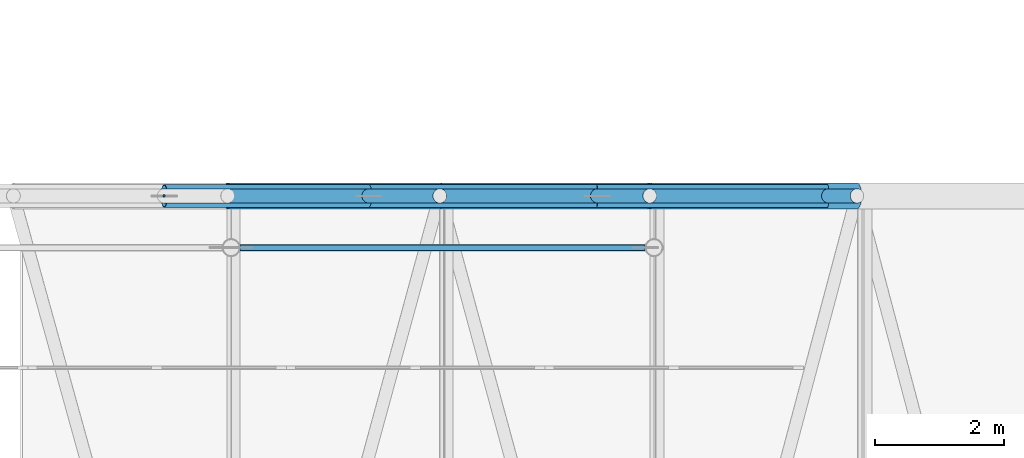
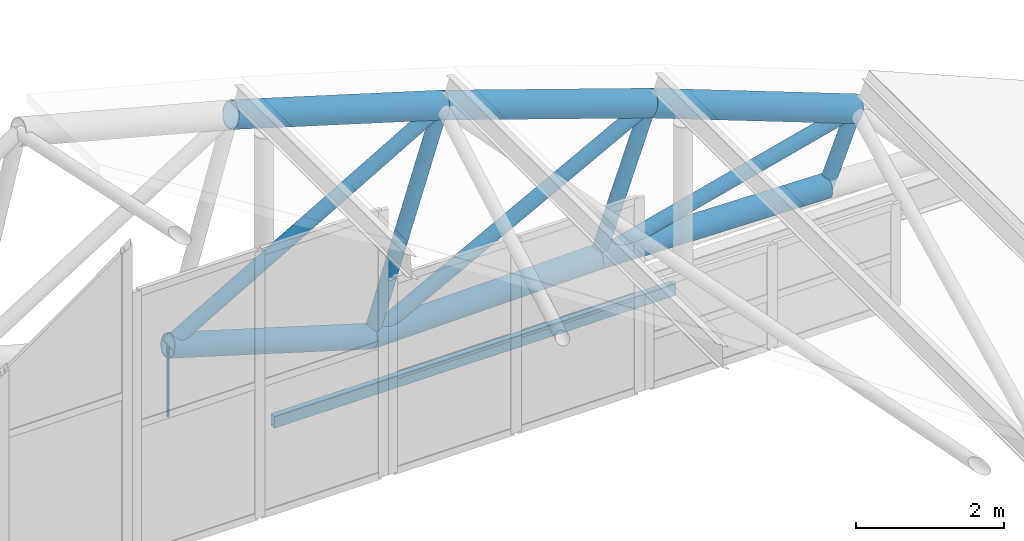
# One storey, part 200 of 321: 14 members.
"""IFC4 building model written with IfcOpenShell, lengths in metres."""

from ifc_helpers import new_model, si_unit, direction, frame, origin, origin_2d, place, context, subcontext, project, spatial, hollow_rectangle, circle, hollow_circle, extrude, material, material_profile, profile_set, type_object, element, save


model = new_model("IFC4")

# Units and contexts
model_context = context("Model", 3, precision=1e-05, world=origin(), true_north=direction((0.0, 1.0)))
body_context = subcontext(model_context, "Body", "Model", "MODEL_VIEW")
ifc_project = project(units=[si_unit("LENGTHUNIT", "METRE"), si_unit("AREAUNIT", "SQUARE_METRE"), si_unit("VOLUMEUNIT", "CUBIC_METRE"), si_unit("PLANEANGLEUNIT", "RADIAN"), si_unit("MASSUNIT", "GRAM", prefix="KILO")], contexts=[model_context])

# Site, building, storey
site_placement = place(None, origin())
site = spatial("IfcSite", under=ifc_project, at=site_placement, CompositionType="ELEMENT")
building_placement = place(site_placement, origin())
building = spatial("IfcBuilding", under=site, at=building_placement, Name="Ravi Spectrum Wholesale Market", CompositionType="ELEMENT")
storey_placement = place(building_placement, frame((0.0, 0.0, 10.800048828125)))
storey = spatial("IfcBuildingStorey", under=building, at=storey_placement, Name="L02", CompositionType="ELEMENT", Elevation=10.800048828125)

# Members
ifc_material_1 = material(Name="Steel S355", Category="steel")
ifc_material_profile_1 = material_profile(ifc_material_1, hollow_circle(Radius=0.109619140625, WallThickness=0.008056640625, at=origin_2d()))
ifc_profile_set_1 = profile_set([ifc_material_profile_1], Name="Steel S355")
member_type_1 = type_object("IfcMemberType", Name="CHS 219.1x8 brace", PredefinedType="BRACE", material=ifc_profile_set_1)
for number, where, z_axis, x_axis, name in (
    (1, (100.380615234375, 198.0, 3.645263671875), (-0.865160555252, 0.0, -0.501494978675), (0.0, -1.0, 0.0), "H1-MB-L02-1225"),
    (2, (103.62841796875, 198.0, 2.541015625), (-0.881933088563, 0.0, -0.471374614608), (0.0, -1.0, 0.0), "H1-MB-L02-1226"),
):
    element("IfcMember", number, at=place(storey_placement, frame(where, z_axis=z_axis, x_axis=x_axis)), inside=storey, type_object=member_type_1, Name=name, PredefinedType="BRACE", context=body_context, shape_type="SweptSolid", body=[
        extrude(hollow_circle(Radius=0.109619140625, WallThickness=0.008056640625, at=origin_2d()), origin(), (0.0, 0.0, 1.0), 4.9296875),
    ])
member_1_placement = place(storey_placement, frame((106.836181640625, 198.0, 1.325439453125), z_axis=(-0.967942387937, 0.0, -0.251172318609), x_axis=(0.0, -1.0, 0.0)))
element("IfcMember", 3, at=member_1_placement, inside=storey, type_object=member_type_1, Name="H1-MB-L02-1227", PredefinedType="BRACE", context=body_context, shape_type="SweptSolid", body=[
    extrude(hollow_circle(Radius=0.109619140625, WallThickness=0.008056640625, at=origin_2d()), origin(), (0.0, 0.0, 1.0), 4.15234375),
])
ifc_material_2 = material(Name="Steel S355", Category="steel")
ifc_material_profile_2 = material_profile(ifc_material_2, hollow_circle(Radius=0.109619140625, WallThickness=0.008056640625, at=origin_2d()))
ifc_profile_set_2 = profile_set([ifc_material_profile_2], Name="Steel S355")
member_type_2 = type_object("IfcMemberType", Name="CHS 219.1x8 post", PredefinedType="POST", material=ifc_profile_set_2)
member_2_placement = place(storey_placement, frame((100.380615234375, 198.0, 3.645263671875), z_axis=(-0.305506444581, 0.0, -0.952190008517), x_axis=(0.0, -1.0, 0.0)))
element("IfcMember", 4, at=member_2_placement, inside=storey, type_object=member_type_2, Name="H1-MB-L02-1203", PredefinedType="POST", context=body_context, shape_type="SweptSolid", body=[
    extrude(hollow_circle(Radius=0.109619140625, WallThickness=0.008056640625, at=origin_2d()), origin(), (0.0, 0.0, 1.0), 3.60009765625),
])
member_3_placement = place(storey_placement, frame((103.62841796875, 198.0, 2.541015625), z_axis=(-0.338146640483, 0.0, -0.941093432944), x_axis=(0.0, -1.0, 0.0)))
element("IfcMember", 5, at=member_3_placement, inside=storey, type_object=member_type_2, Name="H1-MB-L02-1204", PredefinedType="POST", context=body_context, shape_type="SweptSolid", body=[
    extrude(hollow_circle(Radius=0.109619140625, WallThickness=0.008056640625, at=origin_2d()), origin(), (0.0, 0.0, 1.0), 2.39990234375),
])
member_4_placement = place(storey_placement, frame((106.836181640625, 198.0, 1.325439453125), z_axis=(-0.370513497528, 0.0, -0.928827081942), x_axis=(0.0, -1.0, 0.0)))
element("IfcMember", 6, at=member_4_placement, inside=storey, type_object=member_type_2, Name="H1-MB-L02-1205", PredefinedType="POST", context=body_context, shape_type="SweptSolid", body=[
    extrude(hollow_circle(Radius=0.109619140625, WallThickness=0.008056640625, at=origin_2d()), origin(), (0.0, 0.0, 1.0), 1.199951171875),
])
ifc_material_3 = material(Name="Steel S355", Category="steel")
ifc_material_profile_3 = material_profile(ifc_material_3, hollow_circle(Radius=0.177734375, WallThickness=0.012451171875, at=origin_2d()))
ifc_profile_set_3 = profile_set([ifc_material_profile_3], Name="Steel S355")
member_type_3 = type_object("IfcMemberType", Name="CHS 355.6x12.5 chord", PredefinedType="CHORD", material=ifc_profile_set_3)
member_5_placement = place(storey_placement, frame((96.11572265625, 198.0, 1.173095703125), z_axis=(0.957300337613, 0.0, -0.289095250058), x_axis=(0.0, 1.0, 0.0)))
element("IfcMember", 7, at=member_5_placement, inside=storey, type_object=member_type_3, Name="H1-MB-L02-1179", PredefinedType="CHORD", context=body_context, shape_type="SweptSolid", body=[
    extrude(hollow_circle(Radius=0.177734375, WallThickness=0.012451171875, at=origin_2d()), origin(), (0.0, 0.0, 1.0), 3.30615234375),
])
member_6_placement = place(storey_placement, frame((99.28076171875, 198.0, 0.21728515625), z_axis=(0.999830134639, 0.0, 0.018431002896), x_axis=(0.0, 1.0, 0.0)))
element("IfcMember", 8, at=member_6_placement, inside=storey, type_object=member_type_3, Name="H1-MB-L02-1180", PredefinedType="CHORD", context=body_context, shape_type="SweptSolid", body=[
    extrude(hollow_circle(Radius=0.177734375, WallThickness=0.012451171875, at=origin_2d()), origin(), (0.0, 0.0, 1.0), 3.53662109375),
])
member_7_placement = place(storey_placement, frame((102.81689453125, 198.0, 0.282470703125), z_axis=(0.999799841502, 0.0, -0.020006922112), x_axis=(0.0, 1.0, 0.0)))
element("IfcMember", 9, at=member_7_placement, inside=storey, type_object=member_type_3, Name="H1-MB-L02-1181", PredefinedType="CHORD", context=body_context, shape_type="SweptSolid", body=[
    extrude(hollow_circle(Radius=0.177734375, WallThickness=0.012451171875, at=origin_2d()), origin(), (0.0, 0.0, 1.0), 3.575439453125),
])
ifc_material_4 = material(Name="Steel S355", Category="steel")
ifc_material_profile_4 = material_profile(ifc_material_4, hollow_circle(Radius=0.203125, WallThickness=0.01611328125, at=origin_2d()))
ifc_profile_set_4 = profile_set([ifc_material_profile_4], Name="Steel S355")
member_type_4 = type_object("IfcMemberType", Name="CHS 406.4x16 chord", PredefinedType="CHORD", material=ifc_profile_set_4)
member_8_placement = place(storey_placement, frame((97.096923828125, 198.0, 4.63671875), z_axis=(0.957315448633, 0.0, -0.289045207204), x_axis=(0.0, 1.0, 0.0)))
element("IfcMember", 10, at=member_8_placement, inside=storey, type_object=member_type_4, Name="H1-MB-L02-1155", PredefinedType="CHORD", context=body_context, shape_type="SweptSolid", body=[
    extrude(hollow_circle(Radius=0.203125, WallThickness=0.01611328125, at=origin_2d()), origin(), (0.0, 0.0, 1.0), 3.43017578125),
])
for number, where, z_axis, x_axis, name in (
    (11, (100.380615234375, 198.0, 3.645263671875), (0.946773178626, 0.0, -0.321901457335), (0.0, 1.0, 0.0), "H1-MB-L02-1156"),
    (12, (103.62841796875, 198.0, 2.541015625), (0.935109783896, 0.0, -0.354358140956), (0.0, 1.0, 0.0), "H1-MB-L02-1157"),
):
    element("IfcMember", number, at=place(storey_placement, frame(where, z_axis=z_axis, x_axis=x_axis)), inside=storey, type_object=member_type_4, Name=name, PredefinedType="CHORD", context=body_context, shape_type="SweptSolid", body=[
        extrude(hollow_circle(Radius=0.203125, WallThickness=0.01611328125, at=origin_2d()), origin(), (0.0, 0.0, 1.0), 3.430419921875),
    ])
ifc_material_5 = material(Name="Steel S355", Category="steel")
ifc_material_profile_5 = material_profile(ifc_material_5, hollow_rectangle(XDim=0.10009765625, YDim=0.199951171875, WallThickness=0.00634765625, InnerFilletRadius=0.00634765625, OuterFilletRadius=0.0126953125, at=origin_2d()))
ifc_profile_set_5 = profile_set([ifc_material_profile_5], Name="Steel S355")
member_type_5 = type_object("IfcMemberType", Name="RHS 200x100x6.3 strut", PredefinedType="STRUT", material=ifc_profile_set_5)
member_9_placement = place(storey_placement, frame((97.28857421875, 197.199951171875, 0.0), z_axis=(1.0, 0.0, 0.0), x_axis=(0.0, 1.0, 0.0)))
element("IfcMember", 13, at=member_9_placement, inside=storey, type_object=member_type_5, Name="H1-MB-L02-1762", PredefinedType="STRUT", context=body_context, shape_type="SweptSolid", body=[
    extrude(hollow_rectangle(XDim=0.10009765625, YDim=0.199951171875, WallThickness=0.00634765625, InnerFilletRadius=0.00634765625, OuterFilletRadius=0.0126953125, at=origin_2d()), origin(), (0.0, 0.0, 1.0), 6.27197265625),
])
ifc_material_6 = material(Name="Steel S355", Category="steel")
ifc_material_profile_6 = material_profile(ifc_material_6, circle(Radius=0.01806640625, at=origin_2d()))
ifc_profile_set_6 = profile_set([ifc_material_profile_6], Name="Steel S355")
member_type_6 = type_object("IfcMemberType", Name="ROD 36 hanger", PredefinedType="STRUT", material=ifc_profile_set_6)
member_10_placement = place(storey_placement, frame((96.11572265625, 198.0, 0.0), z_axis=(0.0, 0.0, 1.0), x_axis=(1.0, 0.0, 0.0)))
element("IfcMember", 14, at=member_10_placement, inside=storey, type_object=member_type_6, Name="H1-MB-L02-1233", PredefinedType="STRUT", context=body_context, shape_type="SweptSolid", body=[
    extrude(circle(Radius=0.01806640625, at=origin_2d()), origin(), (0.0, 0.0, 1.0), 1.173095703125),
])

save(model, "model.ifc")
